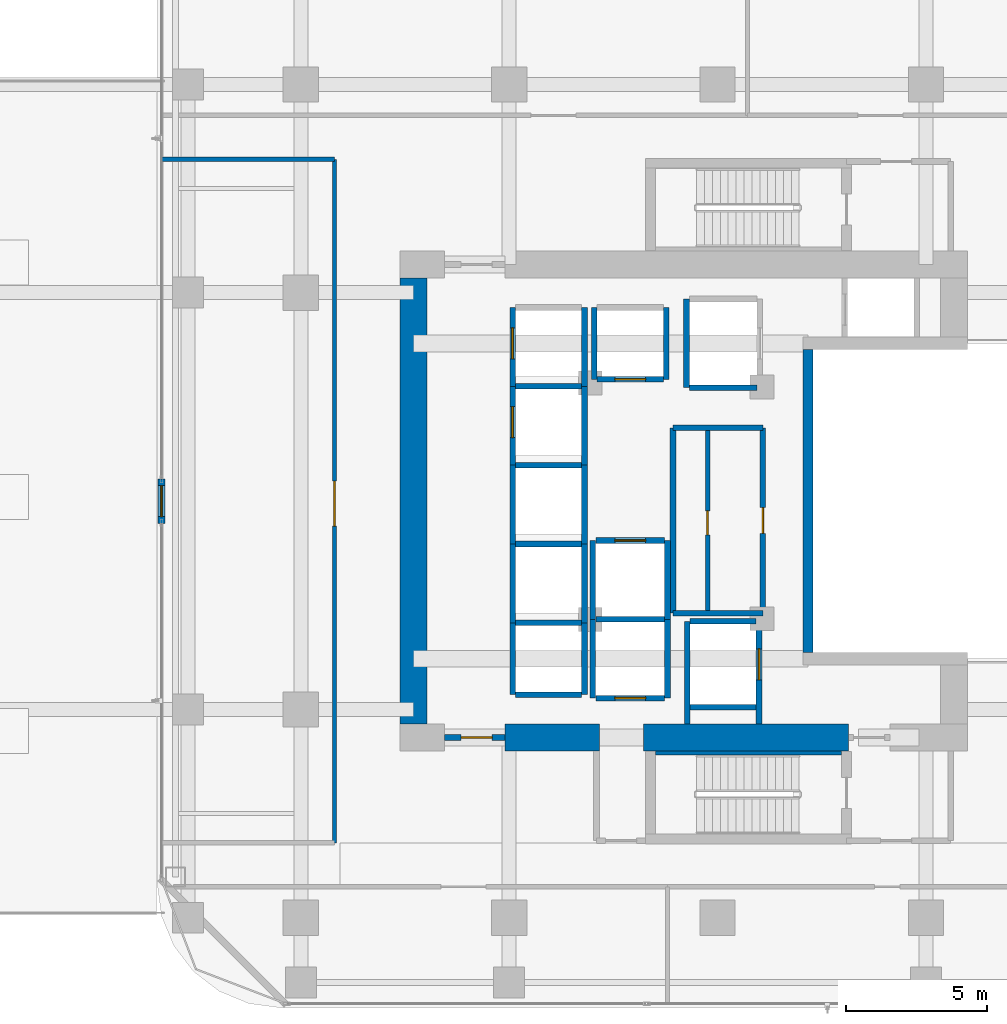
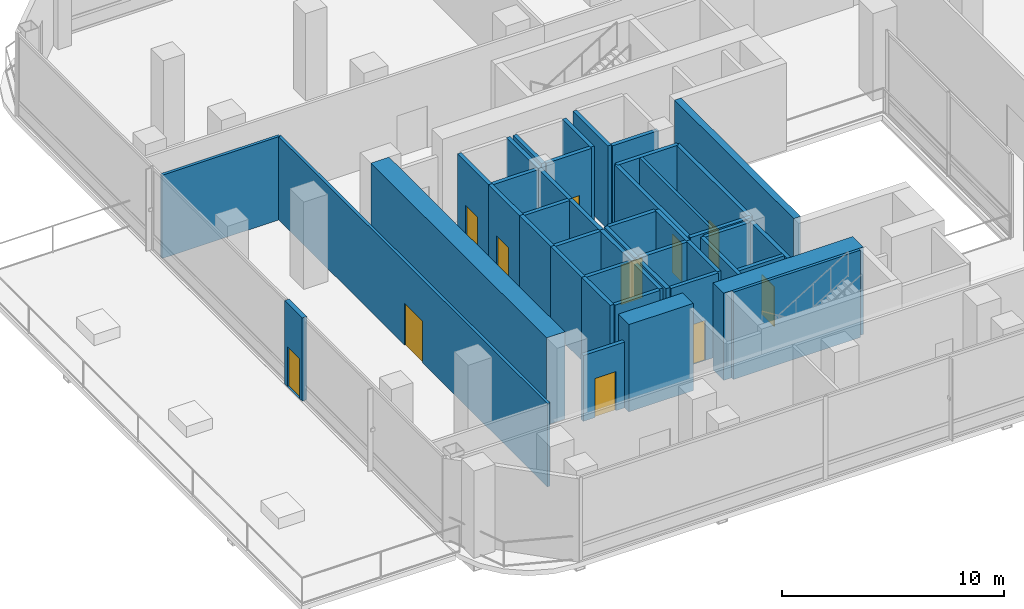
# One storey, part 21 of 28: 45 walls, 11 doors, 11 openings.
"""IFC4 building model written with IfcOpenShell, lengths in metres."""

from ifc_helpers import new_model, si_unit, direction, frame, frame_2d, origin, place, context, subcontext, project, spatial, rectangle, extrude, material, layer, layer_set, type_object, element, fill, save


model = new_model("IFC4")

# Units and contexts
model_context = context("Model", 3, precision=1e-05, world=origin(), true_north=direction((0.0, 1.0)))
body_context = subcontext(model_context, "Body", "Model", "MODEL_VIEW")
ifc_project = project(units=[si_unit("LENGTHUNIT", "METRE"), si_unit("AREAUNIT", "SQUARE_METRE"), si_unit("VOLUMEUNIT", "CUBIC_METRE"), si_unit("PLANEANGLEUNIT", "RADIAN"), si_unit("MASSUNIT", "GRAM", prefix="KILO")], contexts=[model_context])

# Site, building, storey
site_placement = place(None, origin())
site = spatial("IfcSite", under=ifc_project, at=site_placement, CompositionType="ELEMENT")
building_placement = place(site_placement, origin())
building = spatial("IfcBuilding", under=site, at=building_placement, Name="Khorvyn Point Tower", CompositionType="ELEMENT")
storey_placement = place(building_placement, frame((0.0, 0.0, 108.60009765625)))
storey = spatial("IfcBuildingStorey", under=building, at=storey_placement, Name="L27", CompositionType="ELEMENT", Elevation=108.60009765625)

# Wall, opening, door
ifc_material_1 = material(Name="Pale anodised aluminium rainscreen on steel stud", Category="steel")
ifc_layer_1 = layer(ifc_material_1, 0.239990234375)
ifc_layer_set_1 = layer_set([ifc_layer_1], Name="Anodised Aluminium Insulated Corner Spandrel Wall 240")
wall_type_1 = type_object("IfcWallType", Name="Anodised Aluminium Insulated Corner Spandrel Wall 240", PredefinedType="SOLIDWALL", material=ifc_layer_set_1)
wall_1_placement = place(storey_placement, frame((-19.75, -0.7900390625, 0.0), z_axis=(0.0, 0.0, 1.0), x_axis=(0.0, 1.0, 0.0)))
wall_1 = element("IfcWall", 1, at=wall_1_placement, inside=storey, type_object=wall_type_1, Name="L27 West Outdoor Threshold Wall", PredefinedType="SOLIDWALL", context=body_context, shape_type="SweptSolid", body=[
    extrude(rectangle(XDim=1.580078125, YDim=0.239990234375, at=frame_2d((0.7900390625, 0.0))), origin(), (0.0, 0.0, 1.0), 4.579833984375),
])
opening_1_placement = place(wall_1_placement, frame((0.239990234375, 0.0, 0.0)))
opening_1 = element("IfcOpeningElement", 2, at=opening_1_placement, cuts=wall_1, Name="Opening BD-1122", PredefinedType="OPENING", context=body_context, shape_type="SweptSolid", body=[
    extrude(rectangle(XDim=1.10009765625, YDim=2.199951171875, at=frame_2d((0.550048828125, 1.10009765625))), frame((0.0, 0.1298828125, 0.0), z_axis=(0.0, -1.0, 0.0), x_axis=(1.0, 0.0, 0.0)), (0.0, 0.0, 1.0), 0.260009765625),
])
ifc_material_2 = material(Name="Anodised aluminium 6063-T6 and laminated Low-E glass", Category="aluminium")
door_type_1 = type_object("IfcDoorType", Name="Glazed Balcony and Terrace Threshold Door 1100x2200", OperationType="NOTDEFINED", PredefinedType="DOOR", material=ifc_material_2)
door_1_placement = place(opening_1_placement, origin())
door_1 = element("IfcDoor", 3, at=door_1_placement, inside=storey, type_object=door_type_1, Name="L27 West Terrace Outdoor Door", OperationType="SINGLE_SWING_LEFT", OverallHeight=2.199951171875, OverallWidth=1.10009765625, PredefinedType="DOOR", context=body_context, shape_type="SweptSolid", body=[
    extrude(rectangle(XDim=1.10009765625, YDim=2.199951171875, at=frame_2d((0.550048828125, 1.10009765625))), frame((0.0, 0.02490234375, 0.0), z_axis=(0.0, -1.0, 0.0), x_axis=(1.0, 0.0, 0.0)), (0.0, 0.0, 1.0), 0.050048828125),
])
fill(opening_1, door_1)

ifc_material_3 = material(Name="Concrete C40/50", Category="concrete")
ifc_layer_2 = layer(ifc_material_3, 0.199951171875)
ifc_layer_set_2 = layer_set([ifc_layer_2], Name="Concrete C40/50 Fire-Lobby Compartment Wall 200")
wall_type_2 = type_object("IfcWallType", Name="Concrete C40/50 Fire-Lobby Compartment Wall 200", PredefinedType="SOLIDWALL", material=ifc_layer_set_2)
wall_2_placement = place(storey_placement, frame((-9.699951171875, -8.39990234375, 0.0), z_axis=(0.0, 0.0, 1.0), x_axis=(1.0, 0.0, 0.0)))
wall_2 = element("IfcWall", 4, at=wall_2_placement, inside=storey, type_object=wall_type_2, Name="Wall", PredefinedType="SOLIDWALL", context=body_context, shape_type="SweptSolid", body=[
    extrude(rectangle(XDim=2.14990234375, YDim=0.199951171875, at=frame_2d((1.074951171875, 0.0))), origin(), (0.0, 0.0, 1.0), 3.619873046875),
])
opening_2_placement = place(wall_2_placement, frame((0.597900390625, 0.0, 0.0)))
opening_2 = element("IfcOpeningElement", 5, at=opening_2_placement, cuts=wall_2, Name="Opening ID-FL90", PredefinedType="OPENING", context=body_context, shape_type="SweptSolid", body=[
    extrude(rectangle(XDim=1.10009765625, YDim=2.14990234375, at=frame_2d((0.550048828125, 1.074951171875))), frame((0.0, 0.10986328125, 0.0), z_axis=(0.0, -1.0, 0.0), x_axis=(1.0, 0.0, 0.0)), (0.0, 0.0, 1.0), 0.219970703125),
])
ifc_material_4 = material(Name="Galvanised powder-coated steel", Category="steel")
door_type_2 = type_object("IfcDoorType", Name="Fire-Rated Steel Lobby and Stair Door 1100x2150", OperationType="NOTDEFINED", PredefinedType="DOOR", material=ifc_material_4)
door_2_placement = place(opening_2_placement, origin())
door_2 = element("IfcDoor", 6, at=door_2_placement, inside=storey, type_object=door_type_2, Name="Door", OperationType="SINGLE_SWING_LEFT", OverallHeight=2.14990234375, OverallWidth=1.10009765625, PredefinedType="DOOR", context=body_context, shape_type="SweptSolid", body=[
    extrude(rectangle(XDim=1.10009765625, YDim=2.14990234375, at=frame_2d((0.550048828125, 1.074951171875))), frame((0.0, 0.02490234375, 0.0), z_axis=(0.0, -1.0, 0.0), x_axis=(1.0, 0.0, 0.0)), (0.0, 0.0, 1.0), 0.050048828125),
])
fill(opening_2, door_2)

wall_3_placement = place(storey_placement, frame((1.610107421875, -3.97998046875, 0.0), z_axis=(0.0, 0.0, 1.0), x_axis=(0.0, 1.0, 0.0)))
wall_3 = element("IfcWall", 7, at=wall_3_placement, inside=storey, type_object=wall_type_2, Name="Wall", PredefinedType="SOLIDWALL", context=body_context, shape_type="SweptSolid", body=[
    extrude(rectangle(XDim=6.580078125, YDim=0.199951171875, at=frame_2d((3.2900390625, 0.0))), origin(), (0.0, 0.0, 1.0), 4.579833984375),
])
opening_3_placement = place(wall_3_placement, frame((2.830078125, 0.0, 0.0)))
opening_3 = element("IfcOpeningElement", 8, at=opening_3_placement, cuts=wall_3, Name="Opening ID-RS60", PredefinedType="OPENING", context=body_context, shape_type="SweptSolid", body=[
    extrude(rectangle(XDim=0.919921875, YDim=2.10009765625, at=frame_2d((0.4599609375, 1.050048828125))), frame((0.0, 0.10986328125, 0.0), z_axis=(0.0, -1.0, 0.0), x_axis=(1.0, 0.0, 0.0)), (0.0, 0.0, 1.0), 0.219970703125),
])
door_type_3 = type_object("IfcDoorType", Name="Fire-Rated Riser and Store Steel Door 920x2100", OperationType="NOTDEFINED", PredefinedType="DOOR", material=ifc_material_4)
door_3_placement = place(opening_3_placement, origin())
door_3 = element("IfcDoor", 9, at=door_3_placement, inside=storey, type_object=door_type_3, Name="Door", OperationType="SINGLE_SWING_LEFT", OverallHeight=2.10009765625, OverallWidth=0.919921875, PredefinedType="DOOR", context=body_context, shape_type="SweptSolid", body=[
    extrude(rectangle(XDim=0.919921875, YDim=2.10009765625, at=frame_2d((0.4599609375, 1.050048828125))), frame((0.0, 0.02490234375, 0.0), z_axis=(0.0, -1.0, 0.0), x_axis=(1.0, 0.0, 0.0)), (0.0, 0.0, 1.0), 0.050048828125),
])
fill(opening_3, door_3)

# Walls
wall_4_placement = place(storey_placement, frame((-1.580078125, -3.97998046875, 0.0), z_axis=(0.0, 0.0, 1.0), x_axis=(0.0, 1.0, 0.0)))
element("IfcWall", 10, at=wall_4_placement, inside=storey, type_object=wall_type_2, Name="Wall", PredefinedType="SOLIDWALL", context=body_context, shape_type="SweptSolid", body=[
    extrude(rectangle(XDim=6.580078125, YDim=0.199951171875, at=frame_2d((3.2900390625, 0.0))), origin(), (0.0, 0.0, 1.0), 4.579833984375),
])
for number, where, z_axis, x_axis, name in (
    (11, (-1.580078125, -3.97998046875, 0.0), (0.0, 0.0, 1.0), (1.0, 0.0, 0.0), "Wall"),
    (12, (-1.580078125, 2.60009765625, 0.0), (0.0, 0.0, 1.0), (1.0, 0.0, 0.0), "Wall"),
):
    element("IfcWall", number, at=place(storey_placement, frame(where, z_axis=z_axis, x_axis=x_axis)), inside=storey, type_object=wall_type_2, Name=name, PredefinedType="SOLIDWALL", context=body_context, shape_type="SweptSolid", body=[
        extrude(rectangle(XDim=3.190185546875, YDim=0.199951171875, at=frame_2d((1.59521484375, 0.0))), origin(), (0.0, 0.0, 1.0), 4.579833984375),
    ])
ifc_layer_3 = layer(ifc_material_3, 0.25)
ifc_layer_set_3 = layer_set([ifc_layer_3], Name="Concrete C40/50 Stair Inner Cheek Structural Wall 250")
wall_type_3 = type_object("IfcWallType", Name="Concrete C40/50 Stair Inner Cheek Structural Wall 250", PredefinedType="SHEAR", material=ifc_layer_set_3)
wall_5_placement = place(storey_placement, frame((-2.199951171875, -8.949951171875, 0.0), z_axis=(0.0, 0.0, 1.0), x_axis=(1.0, 0.0, 0.0)))
element("IfcWall", 13, at=wall_5_placement, inside=storey, type_object=wall_type_3, Name="Wall", PredefinedType="SHEAR", context=body_context, shape_type="SweptSolid", body=[
    extrude(rectangle(XDim=6.599853515625, YDim=0.14990234375, at=frame_2d((3.2998046875, 0.0))), origin(), (0.0, 0.0, 1.0), 4.7998046875),
])
ifc_layer_4 = layer(ifc_material_3, 0.35009765625)
ifc_layer_set_4 = layer_set([ifc_layer_4], Name="Concrete C40/50 Stair Shaft Structural Wall 350")
wall_type_4 = type_object("IfcWallType", Name="Concrete C40/50 Stair Shaft Structural Wall 350", PredefinedType="SHEAR", material=ifc_layer_set_4)
wall_6_placement = place(storey_placement, frame((3.219970703125, -5.375, 0.0), z_axis=(0.0, 0.0, 1.0), x_axis=(0.0, 1.0, 0.0)))
element("IfcWall", 14, at=wall_6_placement, inside=storey, type_object=wall_type_4, Name="Wall", PredefinedType="SHEAR", context=body_context, shape_type="SweptSolid", body=[
    extrude(rectangle(XDim=10.75, YDim=0.35009765625, at=frame_2d((5.375, 0.0))), origin(), (0.0, 0.0, 1.0), 4.7998046875),
])
ifc_layer_5 = layer(ifc_material_3, 0.199951171875)
ifc_layer_set_5 = layer_set([ifc_layer_5], Name="Concrete C40/50 Structural Hoistway and Stair Shaft Wall 200")
wall_type_5 = type_object("IfcWallType", Name="Concrete C40/50 Structural Hoistway and Stair Shaft Wall 200", PredefinedType="SHEAR", material=ifc_layer_set_5)
for number, where, z_axis, x_axis, name in (
    (15, (-7.27490234375, -6.875, 0.0), (0.0, 0.0, 1.0), (0.0, 1.0, 0.0), "Wall"),
    (16, (-4.72509765625, -6.875, 0.0), (0.0, 0.0, 1.0), (0.0, 1.0, 0.0), "Wall"),
):
    element("IfcWall", number, at=place(storey_placement, frame(where, z_axis=z_axis, x_axis=x_axis)), inside=storey, type_object=wall_type_5, Name=name, PredefinedType="SHEAR", context=body_context, shape_type="SweptSolid", body=[
        extrude(rectangle(XDim=2.550048828125, YDim=0.199951171875, at=frame_2d((1.27490234375, 0.0))), origin(), (0.0, 0.0, 1.0), 4.579833984375),
    ])
for number, where, z_axis, x_axis, name in (
    (17, (-7.175048828125, -6.875, 0.0), (0.0, 0.0, 1.0), (1.0, 0.0, 0.0), "Wall"),
    (18, (-7.175048828125, -4.324951171875, 0.0), (0.0, 0.0, 1.0), (1.0, 0.0, 0.0), "Wall"),
):
    element("IfcWall", number, at=place(storey_placement, frame(where, z_axis=z_axis, x_axis=x_axis)), inside=storey, type_object=wall_type_5, Name=name, PredefinedType="SHEAR", context=body_context, shape_type="SweptSolid", body=[
        extrude(rectangle(XDim=2.35009765625, YDim=0.199951171875, at=frame_2d((1.175048828125, 0.0))), origin(), (0.0, 0.0, 1.0), 4.579833984375),
    ])
for number, where, z_axis, x_axis, name in (
    (19, (-7.27490234375, -4.324951171875, 0.0), (0.0, 0.0, 1.0), (0.0, 1.0, 0.0), "Wall"),
    (20, (-4.72509765625, -4.324951171875, 0.0), (0.0, 0.0, 1.0), (0.0, 1.0, 0.0), "Wall"),
):
    element("IfcWall", number, at=place(storey_placement, frame(where, z_axis=z_axis, x_axis=x_axis)), inside=storey, type_object=wall_type_5, Name=name, PredefinedType="SHEAR", context=body_context, shape_type="SweptSolid", body=[
        extrude(rectangle(XDim=2.800048828125, YDim=0.199951171875, at=frame_2d((1.39990234375, 0.0))), origin(), (0.0, 0.0, 1.0), 4.579833984375),
    ])
wall_7_placement = place(storey_placement, frame((-7.175048828125, -1.52490234375, 0.0), z_axis=(0.0, 0.0, 1.0), x_axis=(1.0, 0.0, 0.0)))
element("IfcWall", 21, at=wall_7_placement, inside=storey, type_object=wall_type_5, Name="Wall", PredefinedType="SHEAR", context=body_context, shape_type="SweptSolid", body=[
    extrude(rectangle(XDim=2.35009765625, YDim=0.199951171875, at=frame_2d((1.175048828125, 0.0))), origin(), (0.0, 0.0, 1.0), 4.579833984375),
])
for number, where, z_axis, x_axis, name in (
    (22, (-7.27490234375, -1.52490234375, 0.0), (0.0, 0.0, 1.0), (0.0, 1.0, 0.0), "Wall"),
    (23, (-4.72509765625, -1.52490234375, 0.0), (0.0, 0.0, 1.0), (0.0, 1.0, 0.0), "Wall"),
):
    element("IfcWall", number, at=place(storey_placement, frame(where, z_axis=z_axis, x_axis=x_axis)), inside=storey, type_object=wall_type_5, Name=name, PredefinedType="SHEAR", context=body_context, shape_type="SweptSolid", body=[
        extrude(rectangle(XDim=2.7998046875, YDim=0.199951171875, at=frame_2d((1.39990234375, 0.0))), origin(), (0.0, 0.0, 1.0), 4.579833984375),
    ])
wall_8_placement = place(storey_placement, frame((-7.175048828125, 1.27490234375, 0.0), z_axis=(0.0, 0.0, 1.0), x_axis=(1.0, 0.0, 0.0)))
element("IfcWall", 24, at=wall_8_placement, inside=storey, type_object=wall_type_5, Name="Wall", PredefinedType="SHEAR", context=body_context, shape_type="SweptSolid", body=[
    extrude(rectangle(XDim=2.35009765625, YDim=0.199951171875, at=frame_2d((1.175048828125, 0.0))), origin(), (0.0, 0.0, 1.0), 4.579833984375),
])

# Wall, opening, door
wall_9_placement = place(storey_placement, frame((-7.27490234375, 1.27490234375, 0.0), z_axis=(0.0, 0.0, 1.0), x_axis=(0.0, 1.0, 0.0)))
wall_9 = element("IfcWall", 25, at=wall_9_placement, inside=storey, type_object=wall_type_5, Name="Wall", PredefinedType="SHEAR", context=body_context, shape_type="SweptSolid", body=[
    extrude(rectangle(XDim=2.800048828125, YDim=0.199951171875, at=frame_2d((1.39990234375, 0.0))), origin(), (0.0, 0.0, 1.0), 4.579833984375),
])
opening_4_placement = place(wall_9_placement, frame((0.97509765625, 0.0, 0.0)))
opening_4 = element("IfcOpeningElement", 26, at=opening_4_placement, cuts=wall_9, Name="Opening LD-1122", PredefinedType="OPENING", context=body_context, shape_type="SweptSolid", body=[
    extrude(rectangle(XDim=1.10009765625, YDim=2.199951171875, at=frame_2d((0.550048828125, 1.10009765625))), frame((0.0, 0.10986328125, 0.0), z_axis=(0.0, -1.0, 0.0), x_axis=(1.0, 0.0, 0.0)), (0.0, 0.0, 1.0), 0.219970703125),
])
ifc_material_5 = material(Name="Stainless steel 1.4301", Category="steel")
door_type_4 = type_object("IfcDoorType", Name="Stainless Steel Automatic Sliding Lift Landing Door 1100x2200", OperationType="SLIDING_TO_LEFT", PredefinedType="DOOR", material=ifc_material_5)
door_4_placement = place(opening_4_placement, origin())
door_4 = element("IfcDoor", 27, at=door_4_placement, inside=storey, type_object=door_type_4, Name="L27 RM-01 Sliding Lift Landing Door", OperationType="SLIDING_TO_LEFT", OverallHeight=2.199951171875, OverallWidth=1.10009765625, PredefinedType="DOOR", context=body_context, shape_type="SweptSolid", body=[
    extrude(rectangle(XDim=1.10009765625, YDim=2.199951171875, at=frame_2d((0.550048828125, 1.10009765625))), frame((0.0, 0.02490234375, 0.0), z_axis=(0.0, -1.0, 0.0), x_axis=(1.0, 0.0, 0.0)), (0.0, 0.0, 1.0), 0.050048828125),
])
fill(opening_4, door_4)

# Walls
wall_10_placement = place(storey_placement, frame((-4.72509765625, 1.27490234375, 0.0), z_axis=(0.0, 0.0, 1.0), x_axis=(0.0, 1.0, 0.0)))
element("IfcWall", 28, at=wall_10_placement, inside=storey, type_object=wall_type_5, Name="Wall", PredefinedType="SHEAR", context=body_context, shape_type="SweptSolid", body=[
    extrude(rectangle(XDim=2.800048828125, YDim=0.199951171875, at=frame_2d((1.39990234375, 0.0))), origin(), (0.0, 0.0, 1.0), 4.579833984375),
])
wall_11_placement = place(storey_placement, frame((-7.175048828125, 4.074951171875, 0.0), z_axis=(0.0, 0.0, 1.0), x_axis=(1.0, 0.0, 0.0)))
element("IfcWall", 29, at=wall_11_placement, inside=storey, type_object=wall_type_5, Name="Wall", PredefinedType="SHEAR", context=body_context, shape_type="SweptSolid", body=[
    extrude(rectangle(XDim=2.35009765625, YDim=0.199951171875, at=frame_2d((1.175048828125, 0.0))), origin(), (0.0, 0.0, 1.0), 4.579833984375),
])

# Wall, opening, door
wall_12_placement = place(storey_placement, frame((-7.27490234375, 4.074951171875, 0.0), z_axis=(0.0, 0.0, 1.0), x_axis=(0.0, 1.0, 0.0)))
wall_12 = element("IfcWall", 30, at=wall_12_placement, inside=storey, type_object=wall_type_5, Name="Wall", PredefinedType="SHEAR", context=body_context, shape_type="SweptSolid", body=[
    extrude(rectangle(XDim=2.800048828125, YDim=0.199951171875, at=frame_2d((1.39990234375, 0.0))), origin(), (0.0, 0.0, 1.0), 4.579833984375),
])
opening_5_placement = place(wall_12_placement, frame((0.97509765625, 0.0, 0.0)))
opening_5 = element("IfcOpeningElement", 31, at=opening_5_placement, cuts=wall_12, Name="Opening LD-1122", PredefinedType="OPENING", context=body_context, shape_type="SweptSolid", body=[
    extrude(rectangle(XDim=1.10009765625, YDim=2.199951171875, at=frame_2d((0.550048828125, 1.10009765625))), frame((0.0, 0.10986328125, 0.0), z_axis=(0.0, -1.0, 0.0), x_axis=(1.0, 0.0, 0.0)), (0.0, 0.0, 1.0), 0.219970703125),
])
door_5_placement = place(opening_5_placement, origin())
door_5 = element("IfcDoor", 32, at=door_5_placement, inside=storey, type_object=door_type_4, Name="L27 RM-02 Sliding Lift Landing Door", OperationType="SLIDING_TO_LEFT", OverallHeight=2.199951171875, OverallWidth=1.10009765625, PredefinedType="DOOR", context=body_context, shape_type="SweptSolid", body=[
    extrude(rectangle(XDim=1.10009765625, YDim=2.199951171875, at=frame_2d((0.550048828125, 1.10009765625))), frame((0.0, 0.02490234375, 0.0), z_axis=(0.0, -1.0, 0.0), x_axis=(1.0, 0.0, 0.0)), (0.0, 0.0, 1.0), 0.050048828125),
])
fill(opening_5, door_5)

# Walls
wall_13_placement = place(storey_placement, frame((-4.72509765625, 4.074951171875, 0.0), z_axis=(0.0, 0.0, 1.0), x_axis=(0.0, 1.0, 0.0)))
element("IfcWall", 33, at=wall_13_placement, inside=storey, type_object=wall_type_5, Name="Wall", PredefinedType="SHEAR", context=body_context, shape_type="SweptSolid", body=[
    extrude(rectangle(XDim=2.800048828125, YDim=0.199951171875, at=frame_2d((1.39990234375, 0.0))), origin(), (0.0, 0.0, 1.0), 4.579833984375),
])
for number, where, z_axis, x_axis, name in (
    (34, (-4.375, 4.324951171875, 0.0), (0.0, 0.0, 1.0), (0.0, 1.0, 0.0), "Wall"),
    (35, (-1.824951171875, 4.324951171875, 0.0), (0.0, 0.0, 1.0), (0.0, 1.0, 0.0), "Wall"),
):
    element("IfcWall", number, at=place(storey_placement, frame(where, z_axis=z_axis, x_axis=x_axis)), inside=storey, type_object=wall_type_5, Name=name, PredefinedType="SHEAR", context=body_context, shape_type="SweptSolid", body=[
        extrude(rectangle(XDim=2.550048828125, YDim=0.199951171875, at=frame_2d((1.27490234375, 0.0))), origin(), (0.0, 0.0, 1.0), 4.579833984375),
    ])

# Wall, opening, door
wall_14_placement = place(storey_placement, frame((-4.27490234375, 4.324951171875, 0.0), z_axis=(0.0, 0.0, 1.0), x_axis=(1.0, 0.0, 0.0)))
wall_14 = element("IfcWall", 36, at=wall_14_placement, inside=storey, type_object=wall_type_5, Name="Wall", PredefinedType="SHEAR", context=body_context, shape_type="SweptSolid", body=[
    extrude(rectangle(XDim=2.349853515625, YDim=0.199951171875, at=frame_2d((1.1748046875, 0.0))), origin(), (0.0, 0.0, 1.0), 4.579833984375),
])
opening_6_placement = place(wall_14_placement, frame((0.625, 0.0, 0.0)))
opening_6 = element("IfcOpeningElement", 37, at=opening_6_placement, cuts=wall_14, Name="Opening LD-1122", PredefinedType="OPENING", context=body_context, shape_type="SweptSolid", body=[
    extrude(rectangle(XDim=1.10009765625, YDim=2.199951171875, at=frame_2d((0.550048828125, 1.10009765625))), frame((0.0, 0.10986328125, 0.0), z_axis=(0.0, -1.0, 0.0), x_axis=(1.0, 0.0, 0.0)), (0.0, 0.0, 1.0), 0.219970703125),
])
door_6_placement = place(opening_6_placement, origin())
door_6 = element("IfcDoor", 38, at=door_6_placement, inside=storey, type_object=door_type_4, Name="L27 RM-03 Sliding Lift Landing Door", OperationType="SLIDING_TO_LEFT", OverallHeight=2.199951171875, OverallWidth=1.10009765625, PredefinedType="DOOR", context=body_context, shape_type="SweptSolid", body=[
    extrude(rectangle(XDim=1.10009765625, YDim=2.199951171875, at=frame_2d((0.550048828125, 1.10009765625))), frame((0.0, 0.02490234375, 0.0), z_axis=(0.0, -1.0, 0.0), x_axis=(1.0, 0.0, 0.0)), (0.0, 0.0, 1.0), 0.050048828125),
])
fill(opening_6, door_6)

# Walls
for number, where, z_axis, x_axis, name in (
    (39, (-4.425048828125, -7.0, 0.0), (0.0, 0.0, 1.0), (0.0, 1.0, 0.0), "Wall"),
    (40, (-1.77490234375, -7.0, 0.0), (0.0, 0.0, 1.0), (0.0, 1.0, 0.0), "Wall"),
):
    element("IfcWall", number, at=place(storey_placement, frame(where, z_axis=z_axis, x_axis=x_axis)), inside=storey, type_object=wall_type_5, Name=name, PredefinedType="SHEAR", context=body_context, shape_type="SweptSolid", body=[
        extrude(rectangle(XDim=2.800048828125, YDim=0.199951171875, at=frame_2d((1.39990234375, 0.0))), origin(), (0.0, 0.0, 1.0), 4.579833984375),
    ])

# Wall, opening, door
wall_15_placement = place(storey_placement, frame((-4.324951171875, -7.0, 0.0), z_axis=(0.0, 0.0, 1.0), x_axis=(1.0, 0.0, 0.0)))
wall_15 = element("IfcWall", 41, at=wall_15_placement, inside=storey, type_object=wall_type_5, Name="Wall", PredefinedType="SHEAR", context=body_context, shape_type="SweptSolid", body=[
    extrude(rectangle(XDim=2.449951171875, YDim=0.199951171875, at=frame_2d((1.22509765625, 0.0))), origin(), (0.0, 0.0, 1.0), 4.579833984375),
])
opening_7_placement = place(wall_15_placement, frame((0.675048828125, 0.0, 0.0)))
opening_7 = element("IfcOpeningElement", 42, at=opening_7_placement, cuts=wall_15, Name="Opening LD-1122", PredefinedType="OPENING", context=body_context, shape_type="SweptSolid", body=[
    extrude(rectangle(XDim=1.10009765625, YDim=2.199951171875, at=frame_2d((0.550048828125, 1.10009765625))), frame((0.0, 0.10986328125, 0.0), z_axis=(0.0, -1.0, 0.0), x_axis=(1.0, 0.0, 0.0)), (0.0, 0.0, 1.0), 0.219970703125),
])
door_7_placement = place(opening_7_placement, origin())
door_7 = element("IfcDoor", 43, at=door_7_placement, inside=storey, type_object=door_type_4, Name="L27 RS-01 Sliding Lift Landing Door", OperationType="SLIDING_TO_LEFT", OverallHeight=2.199951171875, OverallWidth=1.10009765625, PredefinedType="DOOR", context=body_context, shape_type="SweptSolid", body=[
    extrude(rectangle(XDim=1.10009765625, YDim=2.199951171875, at=frame_2d((0.550048828125, 1.10009765625))), frame((0.0, 0.02490234375, 0.0), z_axis=(0.0, -1.0, 0.0), x_axis=(1.0, 0.0, 0.0)), (0.0, 0.0, 1.0), 0.050048828125),
])
fill(opening_7, door_7)

# Walls
wall_16_placement = place(storey_placement, frame((-4.324951171875, -4.199951171875, 0.0), z_axis=(0.0, 0.0, 1.0), x_axis=(1.0, 0.0, 0.0)))
element("IfcWall", 44, at=wall_16_placement, inside=storey, type_object=wall_type_5, Name="Wall", PredefinedType="SHEAR", context=body_context, shape_type="SweptSolid", body=[
    extrude(rectangle(XDim=2.449951171875, YDim=0.199951171875, at=frame_2d((1.22509765625, 0.0))), origin(), (0.0, 0.0, 1.0), 4.579833984375),
])
for number, where, z_axis, x_axis, name in (
    (45, (-4.425048828125, -4.199951171875, 0.0), (0.0, 0.0, 1.0), (0.0, 1.0, 0.0), "Wall"),
    (46, (-1.77490234375, -4.199951171875, 0.0), (0.0, 0.0, 1.0), (0.0, 1.0, 0.0), "Wall"),
):
    element("IfcWall", number, at=place(storey_placement, frame(where, z_axis=z_axis, x_axis=x_axis)), inside=storey, type_object=wall_type_5, Name=name, PredefinedType="SHEAR", context=body_context, shape_type="SweptSolid", body=[
        extrude(rectangle(XDim=2.800048828125, YDim=0.199951171875, at=frame_2d((1.39990234375, 0.0))), origin(), (0.0, 0.0, 1.0), 4.579833984375),
    ])

# Wall, opening, door
wall_17_placement = place(storey_placement, frame((-4.324951171875, -1.39990234375, 0.0), z_axis=(0.0, 0.0, 1.0), x_axis=(1.0, 0.0, 0.0)))
wall_17 = element("IfcWall", 47, at=wall_17_placement, inside=storey, type_object=wall_type_5, Name="Wall", PredefinedType="SHEAR", context=body_context, shape_type="SweptSolid", body=[
    extrude(rectangle(XDim=2.449951171875, YDim=0.199951171875, at=frame_2d((1.22509765625, 0.0))), origin(), (0.0, 0.0, 1.0), 4.579833984375),
])
opening_8_placement = place(wall_17_placement, frame((0.675048828125, 0.0, 0.0)))
opening_8 = element("IfcOpeningElement", 48, at=opening_8_placement, cuts=wall_17, Name="Opening LD-1122", PredefinedType="OPENING", context=body_context, shape_type="SweptSolid", body=[
    extrude(rectangle(XDim=1.10009765625, YDim=2.199951171875, at=frame_2d((0.550048828125, 1.10009765625))), frame((0.0, 0.10986328125, 0.0), z_axis=(0.0, -1.0, 0.0), x_axis=(1.0, 0.0, 0.0)), (0.0, 0.0, 1.0), 0.219970703125),
])
door_8_placement = place(opening_8_placement, origin())
door_8 = element("IfcDoor", 49, at=door_8_placement, inside=storey, type_object=door_type_4, Name="L27 RS-02 Sliding Lift Landing Door", OperationType="SLIDING_TO_LEFT", OverallHeight=2.199951171875, OverallWidth=1.10009765625, PredefinedType="DOOR", context=body_context, shape_type="SweptSolid", body=[
    extrude(rectangle(XDim=1.10009765625, YDim=2.199951171875, at=frame_2d((0.550048828125, 1.10009765625))), frame((0.0, 0.02490234375, 0.0), z_axis=(0.0, -1.0, 0.0), x_axis=(1.0, 0.0, 0.0)), (0.0, 0.0, 1.0), 0.050048828125),
])
fill(opening_8, door_8)

# Walls
wall_18_placement = place(storey_placement, frame((-1.10009765625, 4.02490234375, 0.0), z_axis=(0.0, 0.0, 1.0), x_axis=(0.0, 1.0, 0.0)))
element("IfcWall", 50, at=wall_18_placement, inside=storey, type_object=wall_type_5, Name="Wall", PredefinedType="SHEAR", context=body_context, shape_type="SweptSolid", body=[
    extrude(rectangle(XDim=3.150146484375, YDim=0.199951171875, at=frame_2d((1.5751953125, 0.0))), origin(), (0.0, 0.0, 1.0), 4.579833984375),
])
wall_19_placement = place(storey_placement, frame((-1.0, 4.02490234375, 0.0), z_axis=(0.0, 0.0, 1.0), x_axis=(1.0, 0.0, 0.0)))
element("IfcWall", 51, at=wall_19_placement, inside=storey, type_object=wall_type_5, Name="Wall", PredefinedType="SHEAR", context=body_context, shape_type="SweptSolid", body=[
    extrude(rectangle(XDim=2.39990234375, YDim=0.199951171875, at=frame_2d((1.199951171875, 0.0))), origin(), (0.0, 0.0, 1.0), 4.579833984375),
])
wall_20_placement = place(storey_placement, frame((-1.074951171875, -7.925048828125, 0.0), z_axis=(0.0, 0.0, 1.0), x_axis=(0.0, 1.0, 0.0)))
element("IfcWall", 52, at=wall_20_placement, inside=storey, type_object=wall_type_5, Name="Wall", PredefinedType="SHEAR", context=body_context, shape_type="SweptSolid", body=[
    extrude(rectangle(XDim=3.650146484375, YDim=0.199951171875, at=frame_2d((1.8251953125, 0.0))), origin(), (0.0, 0.0, 1.0), 4.579833984375),
])

# Wall, opening, door
wall_21_placement = place(storey_placement, frame((1.47509765625, -7.925048828125, 0.0), z_axis=(0.0, 0.0, 1.0), x_axis=(0.0, 1.0, 0.0)))
wall_21 = element("IfcWall", 53, at=wall_21_placement, inside=storey, type_object=wall_type_5, Name="Wall", PredefinedType="SHEAR", context=body_context, shape_type="SweptSolid", body=[
    extrude(rectangle(XDim=3.650146484375, YDim=0.199951171875, at=frame_2d((1.8251953125, 0.0))), origin(), (0.0, 0.0, 1.0), 4.579833984375),
])
opening_9_placement = place(wall_21_placement, frame((1.574951171875, 0.0, 0.0)))
opening_9 = element("IfcOpeningElement", 54, at=opening_9_placement, cuts=wall_21, Name="Opening LD-1122", PredefinedType="OPENING", context=body_context, shape_type="SweptSolid", body=[
    extrude(rectangle(XDim=1.10009765625, YDim=2.199951171875, at=frame_2d((0.550048828125, 1.10009765625))), frame((0.0, 0.10986328125, 0.0), z_axis=(0.0, -1.0, 0.0), x_axis=(1.0, 0.0, 0.0)), (0.0, 0.0, 1.0), 0.219970703125),
])
door_9_placement = place(opening_9_placement, origin())
door_9 = element("IfcDoor", 55, at=door_9_placement, inside=storey, type_object=door_type_4, Name="L27 FF-01 Sliding Lift Landing Door", OperationType="SLIDING_TO_LEFT", OverallHeight=2.199951171875, OverallWidth=1.10009765625, PredefinedType="DOOR", context=body_context, shape_type="SweptSolid", body=[
    extrude(rectangle(XDim=1.10009765625, YDim=2.199951171875, at=frame_2d((0.550048828125, 1.10009765625))), frame((0.0, 0.02490234375, 0.0), z_axis=(0.0, -1.0, 0.0), x_axis=(1.0, 0.0, 0.0)), (0.0, 0.0, 1.0), 0.050048828125),
])
fill(opening_9, door_9)

# Walls
for number, where, z_axis, x_axis, name in (
    (56, (-0.97509765625, -7.324951171875, 0.0), (0.0, 0.0, 1.0), (1.0, 0.0, 0.0), "Wall"),
    (57, (-0.97509765625, -4.27490234375, 0.0), (0.0, 0.0, 1.0), (1.0, 0.0, 0.0), "Wall"),
):
    element("IfcWall", number, at=place(storey_placement, frame(where, z_axis=z_axis, x_axis=x_axis)), inside=storey, type_object=wall_type_5, Name=name, PredefinedType="SHEAR", context=body_context, shape_type="SweptSolid", body=[
        extrude(rectangle(XDim=2.35009765625, YDim=0.199951171875, at=frame_2d((1.175048828125, 0.0))), origin(), (0.0, 0.0, 1.0), 4.579833984375),
    ])
ifc_material_6 = material(Name="Concrete C50/60", Category="concrete")
ifc_layer_6 = layer(ifc_material_6, 0.949951171875)
ifc_layer_set_6 = layer_set([ifc_layer_6], Name="Concrete C50/60 Core Shear Wall 950")
wall_type_6 = type_object("IfcWallType", Name="Concrete C50/60 Core Shear Wall 950", PredefinedType="SHEAR", material=ifc_layer_set_6)
wall_22_placement = place(storey_placement, frame((-7.550048828125, -8.39990234375, 0.0), z_axis=(0.0, 0.0, 1.0), x_axis=(1.0, 0.0, 0.0)))
element("IfcWall", 58, at=wall_22_placement, inside=storey, type_object=wall_type_6, Name="Wall", PredefinedType="SHEAR", context=body_context, shape_type="SweptSolid", body=[
    extrude(rectangle(XDim=3.35009765625, YDim=0.949951171875, at=frame_2d((1.675048828125, 0.0))), origin(), (0.0, 0.0, 1.0), 4.7998046875),
])
wall_23_placement = place(storey_placement, frame((-2.6201171875, -8.39990234375, 0.0), z_axis=(0.0, 0.0, 1.0), x_axis=(1.0, 0.0, 0.0)))
element("IfcWall", 59, at=wall_23_placement, inside=storey, type_object=wall_type_6, Name="Wall", PredefinedType="SHEAR", context=body_context, shape_type="SweptSolid", body=[
    extrude(rectangle(XDim=7.27001953125, YDim=0.949951171875, at=frame_2d((3.635009765625, 0.0))), origin(), (0.0, 0.0, 1.0), 4.7998046875),
])
wall_24_placement = place(storey_placement, frame((-10.800048828125, -7.925048828125, 0.0), z_axis=(0.0, 0.0, 1.0), x_axis=(0.0, 1.0, 0.0)))
element("IfcWall", 60, at=wall_24_placement, inside=storey, type_object=wall_type_6, Name="Wall", PredefinedType="SHEAR", context=body_context, shape_type="SweptSolid", body=[
    extrude(rectangle(XDim=15.85009765625, YDim=0.949951171875, at=frame_2d((7.925048828125, 0.0))), origin(), (0.0, 0.0, 1.0), 4.7998046875),
])

# Wall, opening, door
ifc_material_7 = material(Name="Moisture-resistant gypsum and cement board", Category="gypsum")
ifc_layer_7 = layer(ifc_material_7, 0.14990234375)
ifc_layer_set_7 = layer_set([ifc_layer_7], Name="Moisture-Resistant Wet-Room Partition Wall 150")
wall_type_7 = type_object("IfcWallType", Name="Moisture-Resistant Wet-Room Partition Wall 150", PredefinedType="PARTITIONING", material=ifc_layer_set_7)
wall_25_placement = place(storey_placement, frame((-0.35009765625, -3.97998046875, 0.0), z_axis=(0.0, 0.0, 1.0), x_axis=(0.0, 1.0, 0.0)))
wall_25 = element("IfcWall", 61, at=wall_25_placement, inside=storey, type_object=wall_type_7, Name="Wall", PredefinedType="PARTITIONING", context=body_context, shape_type="SweptSolid", body=[
    extrude(rectangle(XDim=6.580078125, YDim=0.14990234375, at=frame_2d((3.2900390625, 0.0))), origin(), (0.0, 0.0, 1.0), 4.579833984375),
])
opening_10_placement = place(wall_25_placement, frame((2.777587890625, 0.0, 0.0)))
opening_10 = element("IfcOpeningElement", 62, at=opening_10_placement, cuts=wall_25, Name="Opening ID-WC85", PredefinedType="OPENING", context=body_context, shape_type="SweptSolid", body=[
    extrude(rectangle(XDim=0.85009765625, YDim=2.10009765625, at=frame_2d((0.425048828125, 1.050048828125))), frame((0.0, 0.0849609375, 0.0), z_axis=(0.0, -1.0, 0.0), x_axis=(1.0, 0.0, 0.0)), (0.0, 0.0, 1.0), 0.169921875),
])
ifc_material_8 = material(Name="High-pressure laminate on moisture-resistant core", Category="wood")
door_type_5 = type_object("IfcDoorType", Name="Moisture-Resistant Accessible Washroom Door 850x2100", OperationType="NOTDEFINED", PredefinedType="DOOR", material=ifc_material_8)
door_10_placement = place(opening_10_placement, origin())
door_10 = element("IfcDoor", 63, at=door_10_placement, inside=storey, type_object=door_type_5, Name="Door", OperationType="SINGLE_SWING_RIGHT", OverallHeight=2.10009765625, OverallWidth=0.85009765625, PredefinedType="DOOR", context=body_context, shape_type="SweptSolid", body=[
    extrude(rectangle(XDim=0.85009765625, YDim=2.10009765625, at=frame_2d((0.425048828125, 1.050048828125))), frame((0.0, 0.02490234375, 0.0), z_axis=(0.0, -1.0, 0.0), x_axis=(1.0, 0.0, 0.0)), (0.0, 0.0, 1.0), 0.050048828125),
])
fill(opening_10, door_10)

wall_26_placement = place(storey_placement, frame((-13.60009765625, -12.139892578125, 0.0), z_axis=(0.0, 0.0, 1.0), x_axis=(0.0, 1.0, 0.0)))
wall_26 = element("IfcWall", 64, at=wall_26_placement, inside=storey, type_object=wall_type_7, Name="Wall", PredefinedType="PARTITIONING", context=body_context, shape_type="SweptSolid", body=[
    extrude(rectangle(XDim=24.27978515625, YDim=0.14990234375, at=frame_2d((12.139892578125, 0.0))), origin(), (0.0, 0.0, 1.0), 4.579833984375),
])
opening_11_placement = place(wall_26_placement, frame((11.25048828125, 0.0, 0.0)))
opening_11 = element("IfcOpeningElement", 65, at=opening_11_placement, cuts=wall_26, Name="Opening ID-LB30", PredefinedType="OPENING", context=body_context, shape_type="SweptSolid", body=[
    extrude(rectangle(XDim=1.60009765625, YDim=2.300048828125, at=frame_2d((0.800048828125, 1.14990234375))), frame((0.0, 0.0849609375, 0.0), z_axis=(0.0, -1.0, 0.0), x_axis=(1.0, 0.0, 0.0)), (0.0, 0.0, 1.0), 0.169921875),
])
ifc_material_9 = material(Name="Anodised aluminium 6063-T6 and tempered glass", Category="aluminium")
door_type_6 = type_object("IfcDoorType", Name="Glazed Aluminium Sky-Lobby Double Swing Door 1600x2300", OperationType="DOUBLE_DOOR_SINGLE_SWING", PredefinedType="DOOR", material=ifc_material_9)
door_11_placement = place(opening_11_placement, origin())
door_11 = element("IfcDoor", 66, at=door_11_placement, inside=storey, type_object=door_type_6, Name="Door", OperationType="SINGLE_SWING_LEFT", OverallHeight=2.300048828125, OverallWidth=1.60009765625, PredefinedType="DOOR", context=body_context, shape_type="SweptSolid", body=[
    extrude(rectangle(XDim=1.60009765625, YDim=2.300048828125, at=frame_2d((0.800048828125, 1.14990234375))), frame((0.0, 0.02490234375, 0.0), z_axis=(0.0, -1.0, 0.0), x_axis=(1.0, 0.0, 0.0)), (0.0, 0.0, 1.0), 0.050048828125),
])
fill(opening_11, door_11)

# Wall
wall_27_placement = place(storey_placement, frame((-19.72998046875, 12.139892578125, 0.0), z_axis=(0.0, 0.0, 1.0), x_axis=(1.0, 0.0, 0.0)))
element("IfcWall", 67, at=wall_27_placement, inside=storey, type_object=wall_type_7, Name="Wall", PredefinedType="PARTITIONING", context=body_context, shape_type="SweptSolid", body=[
    extrude(rectangle(XDim=6.1298828125, YDim=0.14990234375, at=frame_2d((3.06494140625, 0.0))), origin(), (0.0, 0.0, 1.0), 4.579833984375),
])

save(model, "model.ifc")
